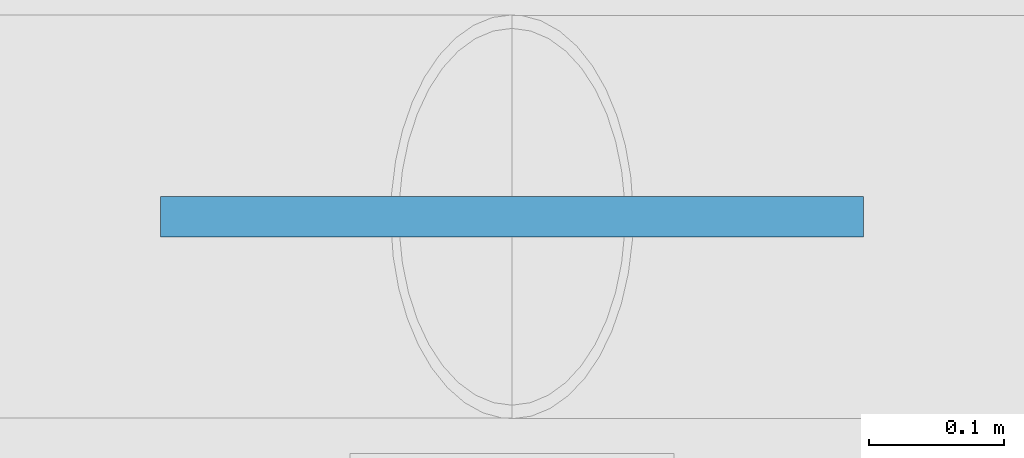
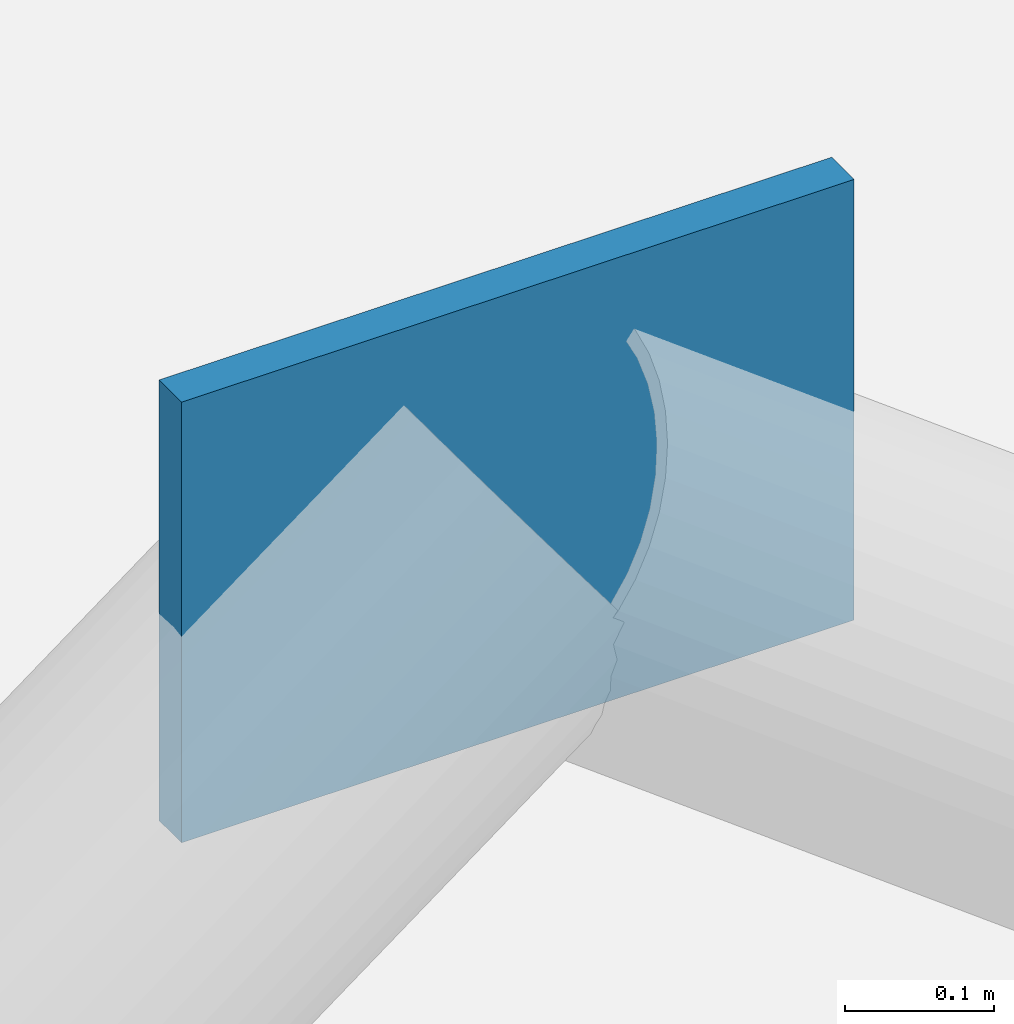
# One storey, part 36 of 76: 1 plate.
"""IFC4 building model written with IfcOpenShell, lengths in metres."""

from ifc_helpers import new_model, si_unit, derived_unit, direction, frame, origin, origin_2d, place, context, subcontext, project, spatial, rectangle, extrude, material, layer, layer_set, type_object, element, save


model = new_model("IFC4")

# Units and contexts
model_context = context("Model", 3, precision=1e-05, world=origin(), true_north=direction((0.0, 1.0)))
body_context = subcontext(model_context, "Body", "Model", "MODEL_VIEW")
ifc_project = project(units=[si_unit("LENGTHUNIT", "METRE"), si_unit("AREAUNIT", "SQUARE_METRE"), si_unit("VOLUMEUNIT", "CUBIC_METRE"), si_unit("PLANEANGLEUNIT", "RADIAN"), si_unit("MASSUNIT", "GRAM", prefix="KILO"), si_unit("THERMODYNAMICTEMPERATUREUNIT", "KELVIN"), derived_unit("THERMALTRANSMITTANCEUNIT", [(si_unit("POWERUNIT", "WATT"), 1), (si_unit("AREAUNIT", "SQUARE_METRE"), -1), (si_unit("THERMODYNAMICTEMPERATUREUNIT", "KELVIN"), -1)])], contexts=[model_context])

# Site, building, storey
site_placement = place(None, origin())
site = spatial("IfcSite", under=ifc_project, at=site_placement, CompositionType="ELEMENT")
building_placement = place(site_placement, origin())
building = spatial("IfcBuilding", under=site, at=building_placement, Name="Haiyu Intermodal Mobility Hub", CompositionType="ELEMENT")
storey_placement = place(building_placement, frame((0.0, 0.0, 17.300048828125)))
storey = spatial("IfcBuildingStorey", under=building, at=storey_placement, Name="L04", CompositionType="ELEMENT", Elevation=17.300048828125)

# Plate
ifc_material = material(Name="Steel Q355C", Category="steel")
ifc_layer = layer(ifc_material, 0.030029296875)
ifc_layer_set = layer_set([ifc_layer], Name="Steel Q355C")
plate_type = type_object("IfcPlateType", Name="PLT-GP05", PredefinedType="USERDEFINED", material=ifc_layer_set)
plate_placement = place(storey_placement, frame((182.0, 122.0, 2.81982421875), z_axis=(0.0, 0.0, 1.0), x_axis=(1.0, 0.0, 0.0)))
element("IfcPlate", 1, at=plate_placement, inside=storey, type_object=plate_type, Name="Chevron Brace Apex Gusset GP-B107", ObjectType="GUSSET PLATE", PredefinedType="USERDEFINED", context=body_context, shape_type="SweptSolid", body=[
    extrude(rectangle(XDim=0.52001953125, YDim=0.030029296875, at=origin_2d()), origin(), (0.0, 0.0, 1.0), 0.360107421875),
])

save(model, "model.ifc")
